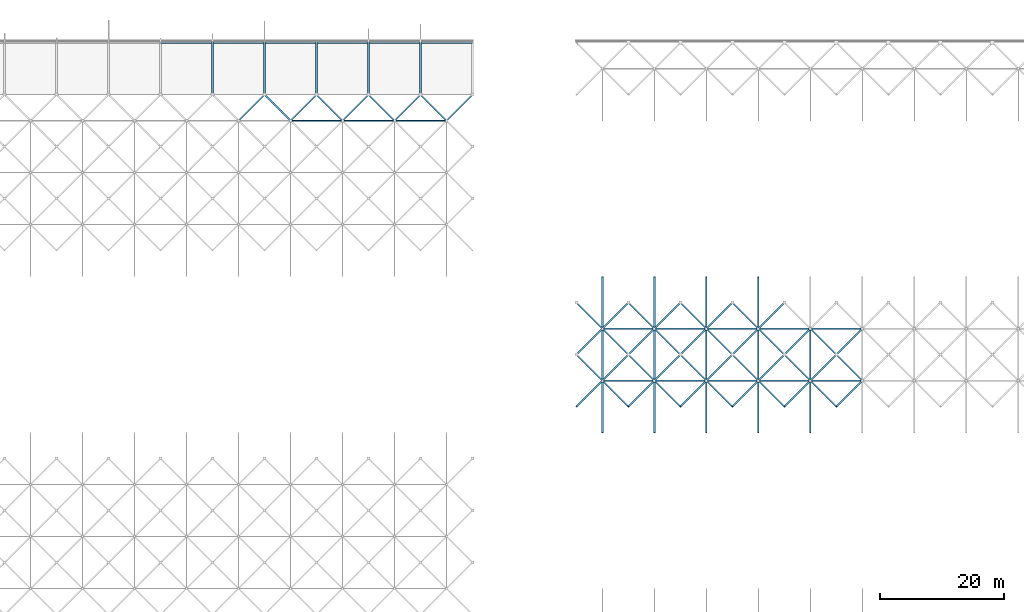
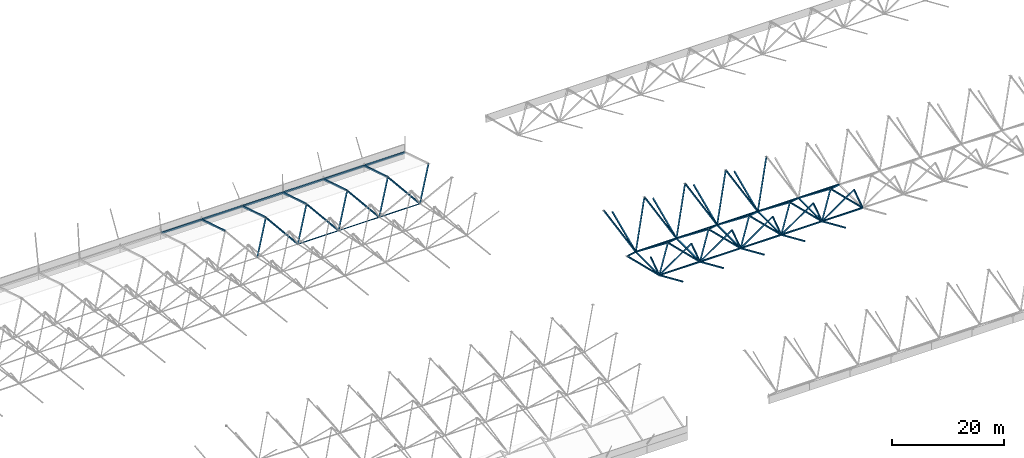
# One storey, part 23 of 85: 88 members.
"""IFC4 building model written with IfcOpenShell, lengths in metres."""

import ifcopenshell
import ifcopenshell.guid

model = None  # the IFC model being written
_history = None  # IfcOwnerHistory: only IFC2X3 demands one
_inside = {}  # id of a spatial element -> (the spatial element, [elements in it])
_under = {}  # id of a project, library or spatial element -> (it, [spatial elements below it])
_declared = {}  # id of a project -> (the project, [libraries it declares])
_typed = {}  # id of a type object -> (the type object, [elements of that type])
_made_of = {}  # id of a material, layer set ... -> (it, [elements and type objects made of it])


def new_model(schema):
    """Start an empty IFC model of exactly this schema.

    Asked for "IFC4X3", IfcOpenShell would pick the latest addendum, in which some entities
    have other attributes; the version numbers below select the first issue.
    IFC2X3 requires an IfcOwnerHistory on every rooted entity: one is made here for all.
    """
    global model, _history
    if schema == "IFC4X3":
        model = ifcopenshell.file(schema_version=(4, 3, 0, 0))
    else:
        model = ifcopenshell.file(schema=schema)
    _inside.clear()
    _under.clear()
    _declared.clear()
    _typed.clear()
    _made_of.clear()
    _history = None
    if model.schema == "IFC2X3":
        org = make("IfcOrganization", Name="unknown")
        user = make(
            "IfcPersonAndOrganization",
            ThePerson=make("IfcPerson", FamilyName="unknown"),
            TheOrganization=org,
        )
        app = make(
            "IfcApplication",
            ApplicationDeveloper=org,
            Version="unknown",
            ApplicationFullName="unknown",
            ApplicationIdentifier="unknown",
        )
        _history = make(
            "IfcOwnerHistory",
            OwningUser=user,
            OwningApplication=app,
            ChangeAction="ADDED",
            CreationDate=0,
        )
    return model


def make(cls, **values):
    """One entity of the class cls with the attributes given. An attribute that is None is left unset."""
    return model.create_entity(
        cls, **{name: value for name, value in values.items() if value is not None}
    )


def rooted(cls, **values):
    """An entity with a GlobalId (a new one), such as an element, a storey or a relation."""
    return make(cls, GlobalId=ifcopenshell.guid.new(), OwnerHistory=_history, **values)


def si_unit(unit_type, name, prefix=None):
    """IfcSIUnit, for example si_unit("LENGTHUNIT", "METRE", prefix="MILLI")."""
    return make("IfcSIUnit", UnitType=unit_type, Prefix=prefix, Name=name)


def assignment(units):
    """IfcUnitAssignment: the units of a project."""
    return None if units is None else make("IfcUnitAssignment", Units=units)


def point(xyz):
    """IfcCartesianPoint."""
    return None if xyz is None else make("IfcCartesianPoint", Coordinates=xyz)


def direction(xyz):
    """IfcDirection."""
    return None if xyz is None else make("IfcDirection", DirectionRatios=xyz)


def frame(location, z_axis=None, x_axis=None):
    """IfcAxis2Placement3D, a coordinate frame: its origin and axes. An axis left out is left unset."""
    return make(
        "IfcAxis2Placement3D",
        Location=point(location),
        Axis=direction(z_axis),
        RefDirection=direction(x_axis),
    )


def frame_2d(location, x_axis=None):
    """IfcAxis2Placement2D, a coordinate frame in the plane: its origin and x axis."""
    return make(
        "IfcAxis2Placement2D", Location=point(location), RefDirection=direction(x_axis)
    )


def origin():
    """The frame at (0, 0, 0) with its axes left unset."""
    return frame((0.0, 0.0, 0.0))


def origin_2d():
    """The frame at (0, 0) in the plane with its x axis left unset."""
    return frame_2d((0.0, 0.0))


def place(relative_to, where):
    """IfcLocalPlacement: puts the frame where relative to a parent placement (None: the world)."""
    return make(
        "IfcLocalPlacement", PlacementRelTo=relative_to, RelativePlacement=where
    )


def context(
    kind, dimensions, precision=None, world=None, true_north=None, identifier=None
):
    """IfcGeometricRepresentationContext, for example the 3D "Model" context."""
    return make(
        "IfcGeometricRepresentationContext",
        ContextIdentifier=identifier,
        ContextType=kind,
        CoordinateSpaceDimension=dimensions,
        Precision=precision,
        WorldCoordinateSystem=world,
        TrueNorth=true_north,
    )


def subcontext(parent, identifier, kind, view, scale=None):
    """IfcGeometricRepresentationSubContext, for example "Body" below "Model"."""
    return make(
        "IfcGeometricRepresentationSubContext",
        ContextIdentifier=identifier,
        ContextType=kind,
        ParentContext=parent,
        TargetScale=scale,
        TargetView=view,
    )


def project(units=None, contexts=None):
    """IfcProject with its units and contexts."""
    return rooted(
        "IfcProject",
        Name="project",
        RepresentationContexts=contexts,
        UnitsInContext=assignment(units),
    )


def spatial(cls, under=None, at=None, **own):
    """A site, building, storey or space (cls), placed at a placement, below another one or the project."""
    s = rooted(cls, ObjectPlacement=at, **own)
    if under is not None:
        _under.setdefault(under.id(), (under, []))[1].append(s)
    return s


def profile(cls, at=None, kind="AREA", **sizes):
    """A parametric profile (cls). Its sizes go by their IFC names, for example OverallWidth=200.0."""
    return make(cls, ProfileType=kind, Position=at, **sizes)


def hollow_rectangle(**sizes):
    """IfcRectangleHollowProfileDef."""
    return profile("IfcRectangleHollowProfileDef", **sizes)


def extrude(swept, where, along, depth):
    """IfcExtrudedAreaSolid: the profile swept, set in the frame where, extruded along a direction by depth."""
    return make(
        "IfcExtrudedAreaSolid",
        SweptArea=swept,
        Position=where,
        ExtrudedDirection=direction(along),
        Depth=depth,
    )


def shape(context_of_items, identifier, shape_type, items):
    """IfcShapeRepresentation: the items that make up one representation, for example the "Body"."""
    return make(
        "IfcShapeRepresentation",
        ContextOfItems=context_of_items,
        RepresentationIdentifier=identifier,
        RepresentationType=shape_type,
        Items=items,
    )


def material(Name=None, Category=None):
    """IfcMaterial."""
    return make("IfcMaterial", Name=Name, Category=Category)


def material_profile(
    of_material, cross_section, Name=None, Category=None, Priority=None
):
    """IfcMaterialProfile: a cross section and its material."""
    return make(
        "IfcMaterialProfile",
        Name=Name,
        Material=of_material,
        Profile=cross_section,
        Priority=Priority,
        Category=Category,
    )


def profile_set(profiles, Name=None, composite=None):
    """IfcMaterialProfileSet."""
    return make(
        "IfcMaterialProfileSet",
        Name=Name,
        MaterialProfiles=profiles,
        CompositeProfile=composite,
    )


def made_of(thing, what):
    """Note that an element or type object is made of a material, layer set ...; save() writes the relation."""
    if what is not None:
        _made_of.setdefault(what.id(), (what, []))[1].append(thing)
    return thing


def type_object(cls, material=None, **own):
    """A type object (cls), such as IfcWallType, which elements share."""
    return made_of(rooted(cls, **own), material)


def element(
    cls,
    number,
    at=None,
    inside=None,
    cuts=None,
    type_object=None,
    material=None,
    context=None,
    identifier="Body",
    shape_type=None,
    held_by="IfcProductDefinitionShape",
    body=None,
    shapes=None,
    **own,
):
    """One element of the class cls, such as IfcWall. Its Tag is "e" and its number.

    at: its placement. inside: the storey or other place that contains it. cuts: it is an
    opening in that element (IfcRelVoidsElement). A single representation is given by context,
    identifier, shape_type and body (its items); several are given by shapes. held_by: the class
    of the entity that holds the representations. save() writes the other relations.
    """
    e = rooted(cls, Tag="e%d" % number, ObjectPlacement=at, **own)
    if body is not None:
        shapes = [shape(context, identifier, shape_type, body)]
    if shapes is not None:
        e.Representation = make(held_by, Representations=shapes)
    if inside is not None:
        _inside.setdefault(inside.id(), (inside, []))[1].append(e)
    if cuts is not None:
        rooted(
            "IfcRelVoidsElement", RelatingBuildingElement=cuts, RelatedOpeningElement=e
        )
    if type_object is not None:
        _typed.setdefault(type_object.id(), (type_object, []))[1].append(e)
    return made_of(e, material)


def aggregate(whole, parts):
    """IfcRelAggregates: a whole, such as a stair, and the parts it consists of."""
    return rooted("IfcRelAggregates", RelatingObject=whole, RelatedObjects=parts)


def save(model, path):
    """Write the relations noted so far, then the file.

    IfcRelAggregates (storeys below a building ...), IfcRelContainedInSpatialStructure (elements
    in a storey), IfcRelDefinesByType, IfcRelAssociatesMaterial and IfcRelDeclares: one each for
    every whole, place, type object, material and project.
    """
    for whole, parts in _under.values():
        aggregate(whole, parts)
    for where, things in _inside.values():
        rooted(
            "IfcRelContainedInSpatialStructure",
            RelatedElements=things,
            RelatingStructure=where,
        )
    for kind, things in _typed.values():
        rooted("IfcRelDefinesByType", RelatedObjects=things, RelatingType=kind)
    for what, things in _made_of.values():
        rooted("IfcRelAssociatesMaterial", RelatedObjects=things, RelatingMaterial=what)
    for by, libraries in _declared.values():
        rooted("IfcRelDeclares", RelatingContext=by, RelatedDefinitions=libraries)
    model.write(path)


model = new_model("IFC4")

# Units and contexts
model_context = context("Model", 3, precision=1e-05, world=origin(), true_north=direction((0.0, 1.0)))
body_context = subcontext(model_context, "Body", "Model", "MODEL_VIEW")
ifc_project = project(units=[si_unit("LENGTHUNIT", "METRE"), si_unit("AREAUNIT", "SQUARE_METRE"), si_unit("VOLUMEUNIT", "CUBIC_METRE"), si_unit("PLANEANGLEUNIT", "RADIAN"), si_unit("MASSUNIT", "GRAM", prefix="KILO")], contexts=[model_context])

# Site, building, storey
site_placement = place(None, origin())
site = spatial("IfcSite", under=ifc_project, at=site_placement, CompositionType="ELEMENT")
building_placement = place(site_placement, origin())
building = spatial("IfcBuilding", under=site, at=building_placement, Name="Rain Tree Exposition and Congress Centre", CompositionType="ELEMENT")
storey_placement = place(building_placement, frame((0.0, 0.0, 15.0)))
storey = spatial("IfcBuildingStorey", under=building, at=storey_placement, Name="L03", CompositionType="ELEMENT", Elevation=15.0)

# Members
ifc_material_1 = material(Name="Steel S355J2H", Category="steel")
ifc_material_profile_1 = material_profile(ifc_material_1, hollow_rectangle(XDim=0.25, YDim=0.25, WallThickness=0.006103515625, at=origin_2d()), Name="RHS 250x250x6")
ifc_profile_set_1 = profile_set([ifc_material_profile_1], Name="Steel S355J2H")
member_type_1 = type_object("IfcMemberType", Name="Steel brace member RHS 250x250x6", PredefinedType="BRACE", material=ifc_profile_set_1)
member_1_placement = place(storey_placement, frame((88.199951171875, 189.0, 0.732666015625), z_axis=(0.55295469561, 0.55295469561, 0.62328341002), x_axis=(-0.707106781187, 0.707106781187, 0.0)))
element("IfcMember", 1, at=member_1_placement, inside=storey, type_object=member_type_1, Name="Diagonal 1250", PredefinedType="BRACE", context=body_context, shape_type="SweptSolid", body=[
    extrude(hollow_rectangle(XDim=0.25, YDim=0.25, WallThickness=0.006103515625, at=origin_2d()), origin(), (0.0, 0.0, 1.0), 7.595458984375),
])
member_2_placement = place(storey_placement, frame((96.60009765625, 189.0, 0.732666015625), z_axis=(-0.552977009953, 0.552944867602, 0.623272332016), x_axis=(-0.70708622964, -0.707127332136, 0.0)))
element("IfcMember", 2, at=member_2_placement, inside=storey, type_object=member_type_1, Name="Diagonal 1255", PredefinedType="BRACE", context=body_context, shape_type="SweptSolid", body=[
    extrude(hollow_rectangle(XDim=0.25, YDim=0.25, WallThickness=0.006103515625, at=origin_2d()), origin(), (0.0, 0.0, 1.0), 7.595703125),
])
for number, where, z_axis, x_axis, name in (
    (3, (96.60009765625, 189.0, 0.732666015625), (0.55295469561, 0.55295469561, 0.62328341002), (-0.707106781187, 0.707106781187, 0.0), "Diagonal 1256"),
    (4, (105.0, 189.0, 0.732666015625), (-0.55295469561, 0.55295469561, 0.62328341002), (-0.707106781187, -0.707106781187, 0.0), "Diagonal 1261"),
    (5, (105.0, 189.0, 0.732666015625), (0.55295469561, 0.55295469561, 0.62328341002), (-0.707106781187, 0.707106781187, 0.0), "Diagonal 1262"),
    (6, (113.39990234375, 189.0, 0.732666015625), (-0.55295469561, 0.55295469561, 0.62328341002), (-0.707106781187, -0.707106781187, 0.0), "Diagonal 1267"),
):
    element("IfcMember", number, at=place(storey_placement, frame(where, z_axis=z_axis, x_axis=x_axis)), inside=storey, type_object=member_type_1, Name=name, PredefinedType="BRACE", context=body_context, shape_type="SweptSolid", body=[
        extrude(hollow_rectangle(XDim=0.25, YDim=0.25, WallThickness=0.006103515625, at=origin_2d()), origin(), (0.0, 0.0, 1.0), 7.595458984375),
    ])
member_3_placement = place(storey_placement, frame((113.39990234375, 189.0, 0.732666015625), z_axis=(0.552977009953, 0.552944867602, 0.623272332016), x_axis=(-0.70708622964, 0.707127332136, 0.0)))
element("IfcMember", 7, at=member_3_placement, inside=storey, type_object=member_type_1, Name="Diagonal 1268", PredefinedType="BRACE", context=body_context, shape_type="SweptSolid", body=[
    extrude(hollow_rectangle(XDim=0.25, YDim=0.25, WallThickness=0.006103515625, at=origin_2d()), origin(), (0.0, 0.0, 1.0), 7.595703125),
])
for number, where, z_axis, x_axis, name in (
    (8, (121.800048828125, 189.0, 0.732666015625), (-0.55295469561, 0.55295469561, 0.62328341002), (-0.707106781187, -0.707106781187, 0.0), "Diagonal 1273"),
    (9, (121.800048828125, 189.0, 0.732666015625), (0.55295469561, 0.55295469561, 0.62328341002), (-0.707106781187, 0.707106781187, 0.0), "Diagonal 1274"),
):
    element("IfcMember", number, at=place(storey_placement, frame(where, z_axis=z_axis, x_axis=x_axis)), inside=storey, type_object=member_type_1, Name=name, PredefinedType="BRACE", context=body_context, shape_type="SweptSolid", body=[
        extrude(hollow_rectangle(XDim=0.25, YDim=0.25, WallThickness=0.006103515625, at=origin_2d()), origin(), (0.0, 0.0, 1.0), 7.595458984375),
    ])
for number, where, z_axis, x_axis, name in (
    (10, (147.0, 147.0, 1.77294921875), (-0.422505540408, -0.422505540408, 0.801859175073), (0.707106781187, -0.707106781187, 0.0), "Diagonal 668"),
    (11, (147.0, 147.0, 1.77294921875), (0.422505540408, -0.422505540408, 0.801859175073), (0.707106781187, 0.707106781187, 0.0), "Diagonal 669"),
):
    element("IfcMember", number, at=place(storey_placement, frame(where, z_axis=z_axis, x_axis=x_axis)), inside=storey, type_object=member_type_1, Name=name, PredefinedType="BRACE", context=body_context, shape_type="SweptSolid", body=[
        extrude(hollow_rectangle(XDim=0.25, YDim=0.25, WallThickness=0.006103515625, at=origin_2d()), origin(), (0.0, 0.0, 1.0), 9.940673828125),
    ])
for number, where, z_axis, x_axis, name in (
    (12, (147.0, 147.0, 1.77294921875), (-0.627852053381, 0.627852053381, 0.460003910993), (-0.707106781187, -0.707106781187, 0.0), "Diagonal 670"),
    (13, (147.0, 147.0, 1.77294921875), (0.627852053381, 0.627852053381, 0.460003910993), (-0.707106781187, 0.707106781187, 0.0), "Diagonal 671"),
):
    element("IfcMember", number, at=place(storey_placement, frame(where, z_axis=z_axis, x_axis=x_axis)), inside=storey, type_object=member_type_1, Name=name, PredefinedType="BRACE", context=body_context, shape_type="SweptSolid", body=[
        extrude(hollow_rectangle(XDim=0.25, YDim=0.25, WallThickness=0.006103515625, at=origin_2d()), origin(), (0.0, 0.0, 1.0), 6.689453125),
    ])
for number, where, z_axis, x_axis, name in (
    (14, (155.39990234375, 147.0, 1.77294921875), (-0.422505540408, -0.422505540408, 0.801859175073), (0.707106781187, -0.707106781187, 0.0), "Diagonal 674"),
    (15, (155.39990234375, 147.0, 1.77294921875), (0.422525715859, -0.422501156122, 0.801850854283), (0.70708622964, 0.707127332136, 0.0), "Diagonal 675"),
):
    element("IfcMember", number, at=place(storey_placement, frame(where, z_axis=z_axis, x_axis=x_axis)), inside=storey, type_object=member_type_1, Name=name, PredefinedType="BRACE", context=body_context, shape_type="SweptSolid", body=[
        extrude(hollow_rectangle(XDim=0.25, YDim=0.25, WallThickness=0.006103515625, at=origin_2d()), origin(), (0.0, 0.0, 1.0), 9.940673828125),
    ])
for number, where, z_axis, x_axis, name in (
    (16, (155.39990234375, 147.0, 1.77294921875), (-0.627852053381, 0.627852053381, 0.460003910993), (-0.707106781187, -0.707106781187, 0.0), "Diagonal 676"),
    (17, (155.39990234375, 147.0, 1.77294921875), (0.627874162364, 0.62783766654, 0.459993370288), (-0.70708622964, 0.707127332136, 0.0), "Diagonal 677"),
):
    element("IfcMember", number, at=place(storey_placement, frame(where, z_axis=z_axis, x_axis=x_axis)), inside=storey, type_object=member_type_1, Name=name, PredefinedType="BRACE", context=body_context, shape_type="SweptSolid", body=[
        extrude(hollow_rectangle(XDim=0.25, YDim=0.25, WallThickness=0.006103515625, at=origin_2d()), origin(), (0.0, 0.0, 1.0), 6.689453125),
    ])
for number, where, z_axis, x_axis, name in (
    (18, (163.800048828125, 147.0, 1.77294921875), (-0.422505540408, -0.422505540408, 0.801859175073), (0.707106781187, -0.707106781187, 0.0), "Diagonal 680"),
    (19, (163.800048828125, 147.0, 1.77294921875), (0.422505540408, -0.422505540408, 0.801859175073), (0.707106781187, 0.707106781187, 0.0), "Diagonal 681"),
):
    element("IfcMember", number, at=place(storey_placement, frame(where, z_axis=z_axis, x_axis=x_axis)), inside=storey, type_object=member_type_1, Name=name, PredefinedType="BRACE", context=body_context, shape_type="SweptSolid", body=[
        extrude(hollow_rectangle(XDim=0.25, YDim=0.25, WallThickness=0.006103515625, at=origin_2d()), origin(), (0.0, 0.0, 1.0), 9.940673828125),
    ])
for number, where, z_axis, x_axis, name in (
    (20, (163.800048828125, 147.0, 1.77294921875), (-0.627852053381, 0.627852053381, 0.460003910993), (-0.707106781187, -0.707106781187, 0.0), "Diagonal 682"),
    (21, (163.800048828125, 147.0, 1.77294921875), (0.627852053381, 0.627852053381, 0.460003910993), (-0.707106781187, 0.707106781187, 0.0), "Diagonal 683"),
):
    element("IfcMember", number, at=place(storey_placement, frame(where, z_axis=z_axis, x_axis=x_axis)), inside=storey, type_object=member_type_1, Name=name, PredefinedType="BRACE", context=body_context, shape_type="SweptSolid", body=[
        extrude(hollow_rectangle(XDim=0.25, YDim=0.25, WallThickness=0.006103515625, at=origin_2d()), origin(), (0.0, 0.0, 1.0), 6.689453125),
    ])
for number, where, z_axis, x_axis, name in (
    (22, (172.199951171875, 147.0, 1.77294921875), (-0.422505540408, -0.422505540408, 0.801859175073), (0.707106781187, -0.707106781187, 0.0), "Diagonal 686"),
    (23, (172.199951171875, 147.0, 1.77294921875), (0.422505540408, -0.422505540408, 0.801859175073), (0.707106781187, 0.707106781187, 0.0), "Diagonal 687"),
):
    element("IfcMember", number, at=place(storey_placement, frame(where, z_axis=z_axis, x_axis=x_axis)), inside=storey, type_object=member_type_1, Name=name, PredefinedType="BRACE", context=body_context, shape_type="SweptSolid", body=[
        extrude(hollow_rectangle(XDim=0.25, YDim=0.25, WallThickness=0.006103515625, at=origin_2d()), origin(), (0.0, 0.0, 1.0), 9.940673828125),
    ])
for number, where, z_axis, x_axis, name in (
    (24, (172.199951171875, 147.0, 1.77294921875), (-0.627852053381, 0.627852053381, 0.460003910993), (-0.707106781187, -0.707106781187, 0.0), "Diagonal 688"),
    (25, (172.199951171875, 147.0, 1.77294921875), (0.627852053381, 0.627852053381, 0.460003910993), (-0.707106781187, 0.707106781187, 0.0), "Diagonal 689"),
):
    element("IfcMember", number, at=place(storey_placement, frame(where, z_axis=z_axis, x_axis=x_axis)), inside=storey, type_object=member_type_1, Name=name, PredefinedType="BRACE", context=body_context, shape_type="SweptSolid", body=[
        extrude(hollow_rectangle(XDim=0.25, YDim=0.25, WallThickness=0.006103515625, at=origin_2d()), origin(), (0.0, 0.0, 1.0), 6.689453125),
    ])
for number, where, z_axis, x_axis, name in (
    (26, (180.60009765625, 147.0, 1.77294921875), (-0.422525715859, -0.422501156122, 0.801850854283), (0.70708622964, -0.707127332136, 0.0), "Diagonal 692"),
    (27, (180.60009765625, 147.0, 1.77294921875), (0.422505540408, -0.422505540408, 0.801859175073), (0.707106781187, 0.707106781187, 0.0), "Diagonal 693"),
):
    element("IfcMember", number, at=place(storey_placement, frame(where, z_axis=z_axis, x_axis=x_axis)), inside=storey, type_object=member_type_1, Name=name, PredefinedType="BRACE", context=body_context, shape_type="SweptSolid", body=[
        extrude(hollow_rectangle(XDim=0.25, YDim=0.25, WallThickness=0.006103515625, at=origin_2d()), origin(), (0.0, 0.0, 1.0), 9.940673828125),
    ])
for number, where, z_axis, x_axis, name in (
    (28, (180.60009765625, 147.0, 1.77294921875), (-0.627874162364, 0.62783766654, 0.459993370288), (-0.70708622964, -0.707127332136, 0.0), "Diagonal 694"),
    (29, (180.60009765625, 147.0, 1.77294921875), (0.627852053381, 0.627852053381, 0.460003910993), (-0.707106781187, 0.707106781187, 0.0), "Diagonal 695"),
):
    element("IfcMember", number, at=place(storey_placement, frame(where, z_axis=z_axis, x_axis=x_axis)), inside=storey, type_object=member_type_1, Name=name, PredefinedType="BRACE", context=body_context, shape_type="SweptSolid", body=[
        extrude(hollow_rectangle(XDim=0.25, YDim=0.25, WallThickness=0.006103515625, at=origin_2d()), origin(), (0.0, 0.0, 1.0), 6.689453125),
    ])
member_4_placement = place(storey_placement, frame((189.0, 147.0, 1.77294921875), z_axis=(-0.422505540408, -0.422505540408, 0.801859175073), x_axis=(0.707106781187, -0.707106781187, 0.0)))
element("IfcMember", 30, at=member_4_placement, inside=storey, type_object=member_type_1, Name="Diagonal 698", PredefinedType="BRACE", context=body_context, shape_type="SweptSolid", body=[
    extrude(hollow_rectangle(XDim=0.25, YDim=0.25, WallThickness=0.006103515625, at=origin_2d()), origin(), (0.0, 0.0, 1.0), 9.940673828125),
])
for number, where, z_axis, x_axis, name in (
    (31, (189.0, 147.0, 1.77294921875), (-0.627852053381, 0.627852053381, 0.460003910993), (-0.707106781187, -0.707106781187, 0.0), "Diagonal 700"),
    (32, (147.0, 155.39990234375, 1.77294921875), (-0.627852053381, -0.627852053381, 0.460003910993), (0.707106781187, -0.707106781187, 0.0), "Diagonal 739"),
    (33, (147.0, 155.39990234375, 1.77294921875), (0.627852053381, -0.627852053381, 0.460003910993), (0.707106781187, 0.707106781187, 0.0), "Diagonal 740"),
):
    element("IfcMember", number, at=place(storey_placement, frame(where, z_axis=z_axis, x_axis=x_axis)), inside=storey, type_object=member_type_1, Name=name, PredefinedType="BRACE", context=body_context, shape_type="SweptSolid", body=[
        extrude(hollow_rectangle(XDim=0.25, YDim=0.25, WallThickness=0.006103515625, at=origin_2d()), origin(), (0.0, 0.0, 1.0), 6.689453125),
    ])
for number, where, z_axis, x_axis, name in (
    (34, (147.0, 155.39990234375, 1.77294921875), (-0.422501156122, 0.422525715859, 0.801850854283), (-0.707127332136, -0.70708622964, 0.0), "Diagonal 741"),
    (35, (147.0, 155.39990234375, 1.77294921875), (0.422501156122, 0.422525715859, 0.801850854283), (-0.707127332136, 0.70708622964, 0.0), "Diagonal 742"),
):
    element("IfcMember", number, at=place(storey_placement, frame(where, z_axis=z_axis, x_axis=x_axis)), inside=storey, type_object=member_type_1, Name=name, PredefinedType="BRACE", context=body_context, shape_type="SweptSolid", body=[
        extrude(hollow_rectangle(XDim=0.25, YDim=0.25, WallThickness=0.006103515625, at=origin_2d()), origin(), (0.0, 0.0, 1.0), 9.940673828125),
    ])
for number, where, z_axis, x_axis, name in (
    (36, (155.39990234375, 155.39990234375, 1.77294921875), (-0.627852053381, -0.627852053381, 0.460003910993), (0.707106781187, -0.707106781187, 0.0), "Diagonal 745"),
    (37, (155.39990234375, 155.39990234375, 1.77294921875), (0.627874162364, -0.62783766654, 0.459993370288), (0.70708622964, 0.707127332136, 0.0), "Diagonal 746"),
):
    element("IfcMember", number, at=place(storey_placement, frame(where, z_axis=z_axis, x_axis=x_axis)), inside=storey, type_object=member_type_1, Name=name, PredefinedType="BRACE", context=body_context, shape_type="SweptSolid", body=[
        extrude(hollow_rectangle(XDim=0.25, YDim=0.25, WallThickness=0.006103515625, at=origin_2d()), origin(), (0.0, 0.0, 1.0), 6.689453125),
    ])
for number, where, z_axis, x_axis, name in (
    (38, (155.39990234375, 155.39990234375, 1.77294921875), (-0.422501156122, 0.422525715859, 0.801850854283), (-0.707127332136, -0.70708622964, 0.0), "Diagonal 747"),
    (39, (155.39990234375, 155.39990234375, 1.77294921875), (0.422521331454, 0.422521331454, 0.801842533751), (-0.707106781187, 0.707106781187, 0.0), "Diagonal 748"),
):
    element("IfcMember", number, at=place(storey_placement, frame(where, z_axis=z_axis, x_axis=x_axis)), inside=storey, type_object=member_type_1, Name=name, PredefinedType="BRACE", context=body_context, shape_type="SweptSolid", body=[
        extrude(hollow_rectangle(XDim=0.25, YDim=0.25, WallThickness=0.006103515625, at=origin_2d()), origin(), (0.0, 0.0, 1.0), 9.940673828125),
    ])
for number, where, z_axis, x_axis, name in (
    (40, (163.800048828125, 155.39990234375, 1.77294921875), (-0.627852053381, -0.627852053381, 0.460003910993), (0.707106781187, -0.707106781187, 0.0), "Diagonal 751"),
    (41, (163.800048828125, 155.39990234375, 1.77294921875), (0.627852053381, -0.627852053381, 0.460003910993), (0.707106781187, 0.707106781187, 0.0), "Diagonal 752"),
):
    element("IfcMember", number, at=place(storey_placement, frame(where, z_axis=z_axis, x_axis=x_axis)), inside=storey, type_object=member_type_1, Name=name, PredefinedType="BRACE", context=body_context, shape_type="SweptSolid", body=[
        extrude(hollow_rectangle(XDim=0.25, YDim=0.25, WallThickness=0.006103515625, at=origin_2d()), origin(), (0.0, 0.0, 1.0), 6.689453125),
    ])
for number, where, z_axis, x_axis, name in (
    (42, (163.800048828125, 155.39990234375, 1.77294921875), (-0.422501156122, 0.422525715859, 0.801850854283), (-0.707127332136, -0.70708622964, 0.0), "Diagonal 753"),
    (43, (163.800048828125, 155.39990234375, 1.77294921875), (0.422501156122, 0.422525715859, 0.801850854283), (-0.707127332136, 0.70708622964, 0.0), "Diagonal 754"),
):
    element("IfcMember", number, at=place(storey_placement, frame(where, z_axis=z_axis, x_axis=x_axis)), inside=storey, type_object=member_type_1, Name=name, PredefinedType="BRACE", context=body_context, shape_type="SweptSolid", body=[
        extrude(hollow_rectangle(XDim=0.25, YDim=0.25, WallThickness=0.006103515625, at=origin_2d()), origin(), (0.0, 0.0, 1.0), 9.940673828125),
    ])
for number, where, z_axis, x_axis, name in (
    (44, (172.199951171875, 155.39990234375, 1.77294921875), (-0.627852053381, -0.627852053381, 0.460003910993), (0.707106781187, -0.707106781187, 0.0), "Diagonal 757"),
    (45, (172.199951171875, 155.39990234375, 1.77294921875), (0.627852053381, -0.627852053381, 0.460003910993), (0.707106781187, 0.707106781187, 0.0), "Diagonal 758"),
):
    element("IfcMember", number, at=place(storey_placement, frame(where, z_axis=z_axis, x_axis=x_axis)), inside=storey, type_object=member_type_1, Name=name, PredefinedType="BRACE", context=body_context, shape_type="SweptSolid", body=[
        extrude(hollow_rectangle(XDim=0.25, YDim=0.25, WallThickness=0.006103515625, at=origin_2d()), origin(), (0.0, 0.0, 1.0), 6.689453125),
    ])
for number, where, z_axis, x_axis, name in (
    (46, (172.199951171875, 155.39990234375, 1.77294921875), (-0.422501156122, 0.422525715859, 0.801850854283), (-0.707127332136, -0.70708622964, 0.0), "Diagonal 759"),
    (47, (172.199951171875, 155.39990234375, 1.77294921875), (0.422501156122, 0.422525715859, 0.801850854283), (-0.707127332136, 0.70708622964, 0.0), "Diagonal 760"),
):
    element("IfcMember", number, at=place(storey_placement, frame(where, z_axis=z_axis, x_axis=x_axis)), inside=storey, type_object=member_type_1, Name=name, PredefinedType="BRACE", context=body_context, shape_type="SweptSolid", body=[
        extrude(hollow_rectangle(XDim=0.25, YDim=0.25, WallThickness=0.006103515625, at=origin_2d()), origin(), (0.0, 0.0, 1.0), 9.940673828125),
    ])
for number, where, z_axis, x_axis, name in (
    (48, (180.60009765625, 155.39990234375, 1.77294921875), (-0.627874162364, -0.62783766654, 0.459993370288), (0.70708622964, -0.707127332136, 0.0), "Diagonal 763"),
    (49, (180.60009765625, 155.39990234375, 1.77294921875), (0.627852053381, -0.627852053381, 0.460003910993), (0.707106781187, 0.707106781187, 0.0), "Diagonal 764"),
    (50, (189.0, 155.39990234375, 1.77294921875), (-0.627852053381, -0.627852053381, 0.460003910993), (0.707106781187, -0.707106781187, 0.0), "Diagonal 769"),
):
    element("IfcMember", number, at=place(storey_placement, frame(where, z_axis=z_axis, x_axis=x_axis)), inside=storey, type_object=member_type_1, Name=name, PredefinedType="BRACE", context=body_context, shape_type="SweptSolid", body=[
        extrude(hollow_rectangle(XDim=0.25, YDim=0.25, WallThickness=0.006103515625, at=origin_2d()), origin(), (0.0, 0.0, 1.0), 6.689453125),
    ])
ifc_material_2 = material(Name="Steel S355J2H", Category="steel")
ifc_material_profile_2 = material_profile(ifc_material_2, hollow_rectangle(XDim=0.14990234375, YDim=0.14990234375, WallThickness=0.00439453125, at=origin_2d()), Name="RHS 150x150x4.5")
ifc_profile_set_2 = profile_set([ifc_material_profile_2], Name="Steel S355J2H")
member_type_2 = type_object("IfcMemberType", Name="Steel chord member RHS 150x150x4.5", PredefinedType="CHORD", material=ifc_profile_set_2)
for number, where, z_axis, x_axis, name in (
    (51, (96.60009765625, 189.0, 0.732666015625), (1.0, 0.0, 0.0), (0.0, 1.0, 0.0), "Bottom chord 1257"),
    (52, (105.0, 189.0, 0.732666015625), (1.0, 0.0, 0.0), (0.0, 1.0, 0.0), "Bottom chord 1263"),
):
    element("IfcMember", number, at=place(storey_placement, frame(where, z_axis=z_axis, x_axis=x_axis)), inside=storey, type_object=member_type_2, Name=name, PredefinedType="CHORD", context=body_context, shape_type="SweptSolid", body=[
        extrude(hollow_rectangle(XDim=0.14990234375, YDim=0.14990234375, WallThickness=0.00439453125, at=origin_2d()), origin(), (0.0, 0.0, 1.0), 8.39990234375),
    ])
member_5_placement = place(storey_placement, frame((113.39990234375, 189.0, 0.732666015625), z_axis=(1.0, 0.0, 0.0), x_axis=(0.0, 1.0, 0.0)))
element("IfcMember", 53, at=member_5_placement, inside=storey, type_object=member_type_2, Name="Bottom chord 1269", PredefinedType="CHORD", context=body_context, shape_type="SweptSolid", body=[
    extrude(hollow_rectangle(XDim=0.14990234375, YDim=0.14990234375, WallThickness=0.00439453125, at=origin_2d()), origin(), (0.0, 0.0, 1.0), 8.400146484375),
])
ifc_material_3 = material(Name="Steel S355J2H", Category="steel")
ifc_material_profile_3 = material_profile(ifc_material_3, hollow_rectangle(XDim=0.25, YDim=0.25, WallThickness=0.006103515625, at=origin_2d()), Name="RHS 250x250x6")
ifc_profile_set_3 = profile_set([ifc_material_profile_3], Name="Steel S355J2H")
member_type_3 = type_object("IfcMemberType", Name="Steel chord member RHS 250x250x6", PredefinedType="CHORD", material=ifc_profile_set_3)
for number, where, z_axis, x_axis, name in (
    (54, (147.0, 138.60009765625, 5.465087890625), (0.0, 0.915468371114, -0.402389937114), (-1.0, 0.0, 0.0), "Bottom chord 602"),
    (55, (155.39990234375, 138.60009765625, 5.465087890625), (0.0, 0.915468371114, -0.402389937114), (-1.0, 0.0, 0.0), "Bottom chord 608"),
    (56, (163.800048828125, 138.60009765625, 5.465087890625), (0.0, 0.915468371114, -0.402389937114), (-1.0, 0.0, 0.0), "Bottom chord 614"),
    (57, (172.199951171875, 138.60009765625, 5.465087890625), (0.0, 0.915468371114, -0.402389937114), (-1.0, 0.0, 0.0), "Bottom chord 620"),
    (58, (180.60009765625, 138.60009765625, 5.465087890625), (0.0, 0.915468371114, -0.402389937114), (-1.0, 0.0, 0.0), "Bottom chord 626"),
):
    element("IfcMember", number, at=place(storey_placement, frame(where, z_axis=z_axis, x_axis=x_axis)), inside=storey, type_object=member_type_3, Name=name, PredefinedType="CHORD", context=body_context, shape_type="SweptSolid", body=[
        extrude(hollow_rectangle(XDim=0.25, YDim=0.25, WallThickness=0.006103515625, at=origin_2d()), origin(), (0.0, 0.0, 1.0), 9.175537109375),
    ])
for number, where, z_axis, x_axis, name in (
    (59, (147.0, 147.0, 1.77294921875), (1.0, 0.0, 0.0), (0.0, 1.0, 0.0), "Bottom chord 672"),
    (60, (147.0, 147.0, 1.77294921875), (0.0, 1.0, 0.0), (-1.0, 0.0, 0.0), "Bottom chord 673"),
):
    element("IfcMember", number, at=place(storey_placement, frame(where, z_axis=z_axis, x_axis=x_axis)), inside=storey, type_object=member_type_3, Name=name, PredefinedType="CHORD", context=body_context, shape_type="SweptSolid", body=[
        extrude(hollow_rectangle(XDim=0.25, YDim=0.25, WallThickness=0.006103515625, at=origin_2d()), origin(), (0.0, 0.0, 1.0), 8.39990234375),
    ])
member_6_placement = place(storey_placement, frame((155.39990234375, 147.0, 1.77294921875), z_axis=(1.0, 0.0, 0.0), x_axis=(0.0, 1.0, 0.0)))
element("IfcMember", 61, at=member_6_placement, inside=storey, type_object=member_type_3, Name="Bottom chord 678", PredefinedType="CHORD", context=body_context, shape_type="SweptSolid", body=[
    extrude(hollow_rectangle(XDim=0.25, YDim=0.25, WallThickness=0.006103515625, at=origin_2d()), origin(), (0.0, 0.0, 1.0), 8.400146484375),
])
for number, where, z_axis, x_axis, name in (
    (62, (155.39990234375, 147.0, 1.77294921875), (0.0, 1.0, 0.0), (-1.0, 0.0, 0.0), "Bottom chord 679"),
    (63, (163.800048828125, 147.0, 1.77294921875), (1.0, 0.0, 0.0), (0.0, 1.0, 0.0), "Bottom chord 684"),
    (64, (163.800048828125, 147.0, 1.77294921875), (0.0, 1.0, 0.0), (-1.0, 0.0, 0.0), "Bottom chord 685"),
):
    element("IfcMember", number, at=place(storey_placement, frame(where, z_axis=z_axis, x_axis=x_axis)), inside=storey, type_object=member_type_3, Name=name, PredefinedType="CHORD", context=body_context, shape_type="SweptSolid", body=[
        extrude(hollow_rectangle(XDim=0.25, YDim=0.25, WallThickness=0.006103515625, at=origin_2d()), origin(), (0.0, 0.0, 1.0), 8.39990234375),
    ])
member_7_placement = place(storey_placement, frame((172.199951171875, 147.0, 1.77294921875), z_axis=(1.0, 0.0, 0.0), x_axis=(0.0, 1.0, 0.0)))
element("IfcMember", 65, at=member_7_placement, inside=storey, type_object=member_type_3, Name="Bottom chord 690", PredefinedType="CHORD", context=body_context, shape_type="SweptSolid", body=[
    extrude(hollow_rectangle(XDim=0.25, YDim=0.25, WallThickness=0.006103515625, at=origin_2d()), origin(), (0.0, 0.0, 1.0), 8.400146484375),
])
for number, where, z_axis, x_axis, name in (
    (66, (172.199951171875, 147.0, 1.77294921875), (0.0, 1.0, 0.0), (-1.0, 0.0, 0.0), "Bottom chord 691"),
    (67, (180.60009765625, 147.0, 1.77294921875), (1.0, 0.0, 0.0), (0.0, 1.0, 0.0), "Bottom chord 696"),
    (68, (180.60009765625, 147.0, 1.77294921875), (0.0, 1.0, 0.0), (-1.0, 0.0, 0.0), "Bottom chord 697"),
    (69, (147.0, 155.39990234375, 1.77294921875), (1.0, 0.0, 0.0), (0.0, 1.0, 0.0), "Bottom chord 743"),
):
    element("IfcMember", number, at=place(storey_placement, frame(where, z_axis=z_axis, x_axis=x_axis)), inside=storey, type_object=member_type_3, Name=name, PredefinedType="CHORD", context=body_context, shape_type="SweptSolid", body=[
        extrude(hollow_rectangle(XDim=0.25, YDim=0.25, WallThickness=0.006103515625, at=origin_2d()), origin(), (0.0, 0.0, 1.0), 8.39990234375),
    ])
member_8_placement = place(storey_placement, frame((147.0, 155.39990234375, 1.77294921875), z_axis=(0.0, 0.915472679231, 0.40238013567), x_axis=(-1.0, 0.0, 0.0)))
element("IfcMember", 70, at=member_8_placement, inside=storey, type_object=member_type_3, Name="Bottom chord 744", PredefinedType="CHORD", context=body_context, shape_type="SweptSolid", body=[
    extrude(hollow_rectangle(XDim=0.25, YDim=0.25, WallThickness=0.006103515625, at=origin_2d()), origin(), (0.0, 0.0, 1.0), 9.17578125),
])
member_9_placement = place(storey_placement, frame((155.39990234375, 155.39990234375, 1.77294921875), z_axis=(1.0, 0.0, 0.0), x_axis=(0.0, 1.0, 0.0)))
element("IfcMember", 71, at=member_9_placement, inside=storey, type_object=member_type_3, Name="Bottom chord 749", PredefinedType="CHORD", context=body_context, shape_type="SweptSolid", body=[
    extrude(hollow_rectangle(XDim=0.25, YDim=0.25, WallThickness=0.006103515625, at=origin_2d()), origin(), (0.0, 0.0, 1.0), 8.400146484375),
])
member_10_placement = place(storey_placement, frame((155.39990234375, 155.39990234375, 1.77294921875), z_axis=(0.0, 0.915472679231, 0.40238013567), x_axis=(-1.0, 0.0, 0.0)))
element("IfcMember", 72, at=member_10_placement, inside=storey, type_object=member_type_3, Name="Bottom chord 750", PredefinedType="CHORD", context=body_context, shape_type="SweptSolid", body=[
    extrude(hollow_rectangle(XDim=0.25, YDim=0.25, WallThickness=0.006103515625, at=origin_2d()), origin(), (0.0, 0.0, 1.0), 9.17578125),
])
member_11_placement = place(storey_placement, frame((163.800048828125, 155.39990234375, 1.77294921875), z_axis=(1.0, 0.0, 0.0), x_axis=(0.0, 1.0, 0.0)))
element("IfcMember", 73, at=member_11_placement, inside=storey, type_object=member_type_3, Name="Bottom chord 755", PredefinedType="CHORD", context=body_context, shape_type="SweptSolid", body=[
    extrude(hollow_rectangle(XDim=0.25, YDim=0.25, WallThickness=0.006103515625, at=origin_2d()), origin(), (0.0, 0.0, 1.0), 8.39990234375),
])
member_12_placement = place(storey_placement, frame((163.800048828125, 155.39990234375, 1.77294921875), z_axis=(0.0, 0.915472679231, 0.40238013567), x_axis=(-1.0, 0.0, 0.0)))
element("IfcMember", 74, at=member_12_placement, inside=storey, type_object=member_type_3, Name="Bottom chord 756", PredefinedType="CHORD", context=body_context, shape_type="SweptSolid", body=[
    extrude(hollow_rectangle(XDim=0.25, YDim=0.25, WallThickness=0.006103515625, at=origin_2d()), origin(), (0.0, 0.0, 1.0), 9.17578125),
])
member_13_placement = place(storey_placement, frame((172.199951171875, 155.39990234375, 1.77294921875), z_axis=(1.0, 0.0, 0.0), x_axis=(0.0, 1.0, 0.0)))
element("IfcMember", 75, at=member_13_placement, inside=storey, type_object=member_type_3, Name="Bottom chord 761", PredefinedType="CHORD", context=body_context, shape_type="SweptSolid", body=[
    extrude(hollow_rectangle(XDim=0.25, YDim=0.25, WallThickness=0.006103515625, at=origin_2d()), origin(), (0.0, 0.0, 1.0), 8.400146484375),
])
member_14_placement = place(storey_placement, frame((172.199951171875, 155.39990234375, 1.77294921875), z_axis=(0.0, 0.915472679231, 0.40238013567), x_axis=(-1.0, 0.0, 0.0)))
element("IfcMember", 76, at=member_14_placement, inside=storey, type_object=member_type_3, Name="Bottom chord 762", PredefinedType="CHORD", context=body_context, shape_type="SweptSolid", body=[
    extrude(hollow_rectangle(XDim=0.25, YDim=0.25, WallThickness=0.006103515625, at=origin_2d()), origin(), (0.0, 0.0, 1.0), 9.17578125),
])
member_15_placement = place(storey_placement, frame((180.60009765625, 155.39990234375, 1.77294921875), z_axis=(1.0, 0.0, 0.0), x_axis=(0.0, 1.0, 0.0)))
element("IfcMember", 77, at=member_15_placement, inside=storey, type_object=member_type_3, Name="Bottom chord 767", PredefinedType="CHORD", context=body_context, shape_type="SweptSolid", body=[
    extrude(hollow_rectangle(XDim=0.25, YDim=0.25, WallThickness=0.006103515625, at=origin_2d()), origin(), (0.0, 0.0, 1.0), 8.39990234375),
])
ifc_material_4 = material(Name="Steel S355J2H", Category="steel")
ifc_material_profile_4 = material_profile(ifc_material_4, hollow_rectangle(XDim=0.300048828125, YDim=0.300048828125, WallThickness=0.009033203125, at=origin_2d()), Name="RHS 300x300x9")
ifc_profile_set_4 = profile_set([ifc_material_profile_4], Name="Steel S355J2H")
member_type_4 = type_object("IfcMemberType", Name="Steel chord member RHS 300x300x9", PredefinedType="CHORD", material=ifc_profile_set_4)
for number, where, z_axis, x_axis, name in (
    (78, (75.60009765625, 201.60009765625, 2.85009765625), (1.0, 0.0, 0.0), (0.0, 1.0, 0.0), "Top chord 177"),
    (79, (84.0, 201.60009765625, 2.85009765625), (1.0, 0.0, 0.0), (0.0, 1.0, 0.0), "Top chord 178"),
):
    element("IfcMember", number, at=place(storey_placement, frame(where, z_axis=z_axis, x_axis=x_axis)), inside=storey, type_object=member_type_4, Name=name, PredefinedType="CHORD", context=body_context, shape_type="SweptSolid", body=[
        extrude(hollow_rectangle(XDim=0.300048828125, YDim=0.300048828125, WallThickness=0.009033203125, at=origin_2d()), origin(), (0.0, 0.0, 1.0), 8.39990234375),
    ])
member_16_placement = place(storey_placement, frame((92.39990234375, 201.60009765625, 2.85009765625), z_axis=(1.0, 0.0, 0.0), x_axis=(0.0, 1.0, 0.0)))
element("IfcMember", 80, at=member_16_placement, inside=storey, type_object=member_type_4, Name="Top chord 179", PredefinedType="CHORD", context=body_context, shape_type="SweptSolid", body=[
    extrude(hollow_rectangle(XDim=0.300048828125, YDim=0.300048828125, WallThickness=0.009033203125, at=origin_2d()), origin(), (0.0, 0.0, 1.0), 8.400146484375),
])
member_17_placement = place(storey_placement, frame((100.800048828125, 201.60009765625, 2.85009765625), z_axis=(1.0, 0.0, 0.0), x_axis=(0.0, 1.0, 0.0)))
element("IfcMember", 81, at=member_17_placement, inside=storey, type_object=member_type_4, Name="Top chord 180", PredefinedType="CHORD", context=body_context, shape_type="SweptSolid", body=[
    extrude(hollow_rectangle(XDim=0.300048828125, YDim=0.300048828125, WallThickness=0.009033203125, at=origin_2d()), origin(), (0.0, 0.0, 1.0), 8.39990234375),
])
member_18_placement = place(storey_placement, frame((109.199951171875, 201.60009765625, 2.85009765625), z_axis=(1.0, 0.0, 0.0), x_axis=(0.0, 1.0, 0.0)))
element("IfcMember", 82, at=member_18_placement, inside=storey, type_object=member_type_4, Name="Top chord 181", PredefinedType="CHORD", context=body_context, shape_type="SweptSolid", body=[
    extrude(hollow_rectangle(XDim=0.300048828125, YDim=0.300048828125, WallThickness=0.009033203125, at=origin_2d()), origin(), (0.0, 0.0, 1.0), 8.400146484375),
])
member_19_placement = place(storey_placement, frame((117.60009765625, 201.60009765625, 2.85009765625), z_axis=(1.0, 0.0, 0.0), x_axis=(0.0, 1.0, 0.0)))
element("IfcMember", 83, at=member_19_placement, inside=storey, type_object=member_type_4, Name="Top chord 182", PredefinedType="CHORD", context=body_context, shape_type="SweptSolid", body=[
    extrude(hollow_rectangle(XDim=0.300048828125, YDim=0.300048828125, WallThickness=0.009033203125, at=origin_2d()), origin(), (0.0, 0.0, 1.0), 8.39990234375),
])
for number, where, z_axis, x_axis, name in (
    (84, (84.0, 193.199951171875, 5.466796875), (0.0, 0.954749667557, -0.297410612285), (-1.0, 0.0, 0.0), "Top chord 302"),
    (85, (92.39990234375, 193.199951171875, 5.466796875), (0.0, 0.954749667557, -0.297410612285), (-1.0, 0.0, 0.0), "Top chord 314"),
    (86, (100.800048828125, 193.199951171875, 5.466796875), (0.0, 0.954749667557, -0.297410612285), (-1.0, 0.0, 0.0), "Top chord 326"),
    (87, (109.199951171875, 193.199951171875, 5.466796875), (0.0, 0.954749667557, -0.297410612285), (-1.0, 0.0, 0.0), "Top chord 338"),
    (88, (117.60009765625, 193.199951171875, 5.466796875), (0.0, 0.954749667557, -0.297410612285), (-1.0, 0.0, 0.0), "Top chord 350"),
):
    element("IfcMember", number, at=place(storey_placement, frame(where, z_axis=z_axis, x_axis=x_axis)), inside=storey, type_object=member_type_4, Name=name, PredefinedType="CHORD", context=body_context, shape_type="SweptSolid", body=[
        extrude(hollow_rectangle(XDim=0.300048828125, YDim=0.300048828125, WallThickness=0.009033203125, at=origin_2d()), origin(), (0.0, 0.0, 1.0), 8.79833984375),
    ])

save(model, "model.ifc")
